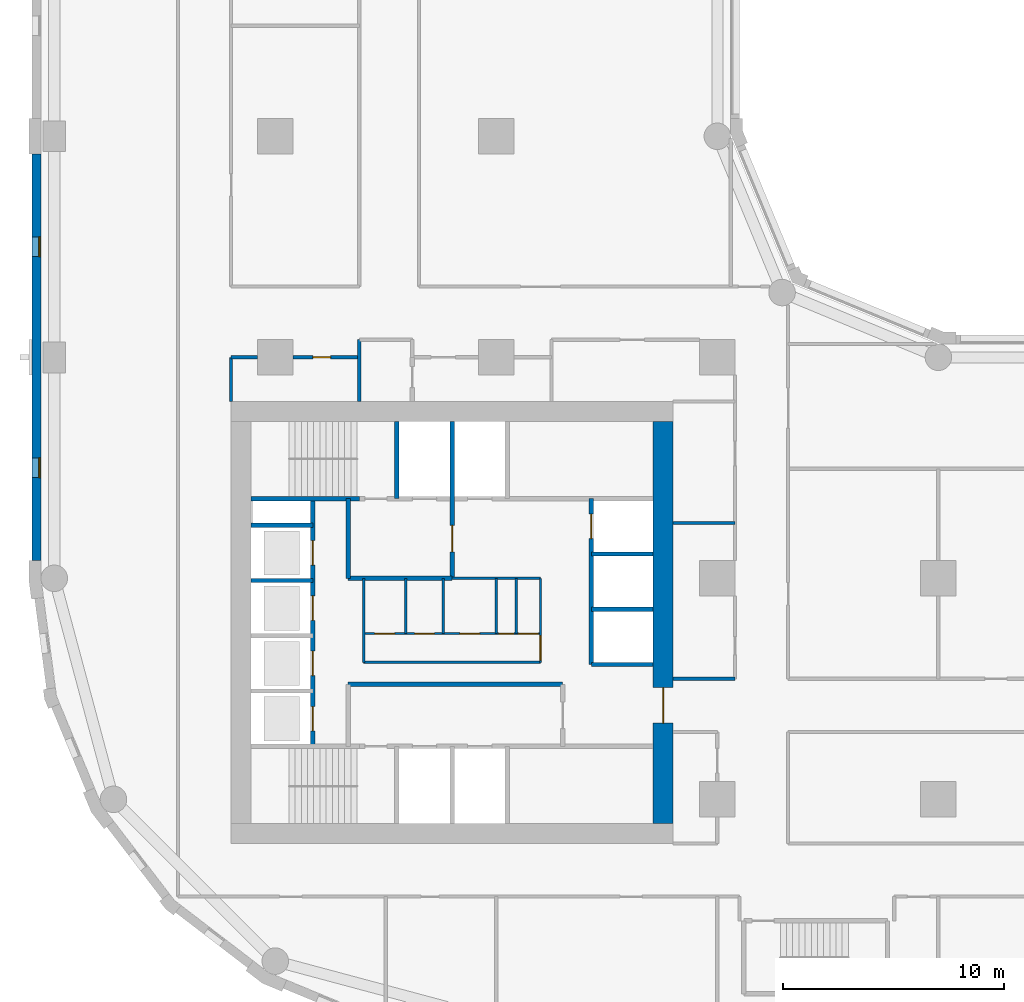
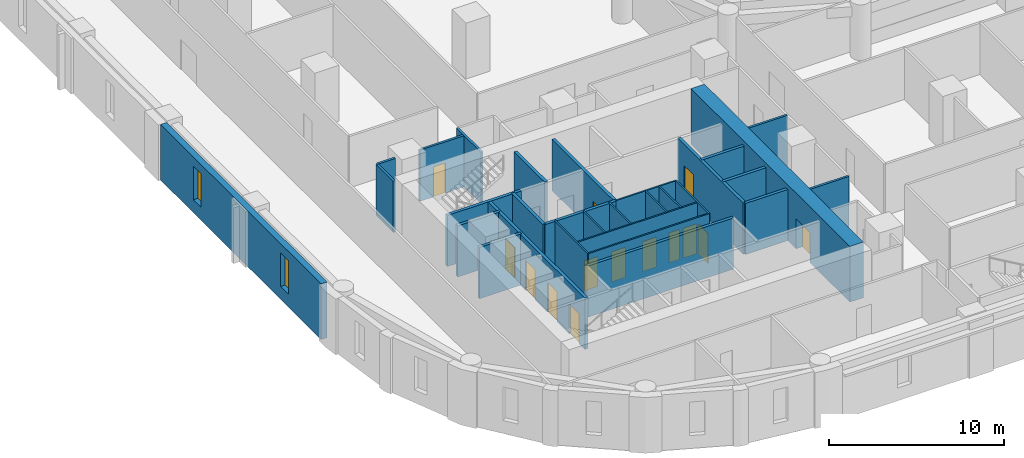
# One storey, part 3 of 11: 30 walls, 14 doors, 2 windows, 16 openings.
"""IFC4 building model written with IfcOpenShell, lengths in metres."""

from ifc_helpers import new_model, si_unit, direction, frame, frame_2d, origin, place, context, subcontext, project, spatial, rectangle, extrude, material, layer, layer_set, type_object, element, fill, save


model = new_model("IFC4")

# Units and contexts
model_context = context("Model", 3, precision=1e-05, world=origin(), true_north=direction((0.0, 1.0)))
body_context = subcontext(model_context, "Body", "Model", "MODEL_VIEW")
ifc_project = project(units=[si_unit("LENGTHUNIT", "METRE"), si_unit("AREAUNIT", "SQUARE_METRE"), si_unit("VOLUMEUNIT", "CUBIC_METRE"), si_unit("PLANEANGLEUNIT", "RADIAN"), si_unit("MASSUNIT", "GRAM", prefix="KILO")], contexts=[model_context])

# Site, building, storey
site_placement = place(None, origin())
site = spatial("IfcSite", under=ifc_project, at=site_placement, CompositionType="ELEMENT")
building_placement = place(site_placement, origin())
building = spatial("IfcBuilding", under=site, at=building_placement, Name="Qaws Garden Tower", CompositionType="ELEMENT")
storey_placement = place(building_placement, frame((0.0, 0.0, 90.0)))
storey = spatial("IfcBuildingStorey", under=building, at=storey_placement, Name="L22", CompositionType="ELEMENT", Elevation=90.0)

# Wall, openings, windows
ifc_material_1 = material(Name="Clay facing brick masonry", Category="masonry")
ifc_layer_1 = layer(ifc_material_1, 0.39990234375)
ifc_layer_set_1 = layer_set([ifc_layer_1], Name="Clay facing brick masonry")
wall_type_1 = type_object("IfcWallType", Name="Brick infill wall 400", PredefinedType="SOLIDWALL", material=ifc_layer_set_1)
wall_1_placement = place(storey_placement, frame((-0.800048828125, 39.199951171875, 0.0), z_axis=(0.0, 0.0, 1.0), x_axis=(0.0, -1.0, 0.0)))
wall_1 = element("IfcWall", 1, at=wall_1_placement, inside=storey, type_object=wall_type_1, Name="E-L22-infill-25", PredefinedType="SOLIDWALL", context=body_context, shape_type="SweptSolid", body=[
    extrude(rectangle(XDim=18.39990234375, YDim=0.39990234375, at=frame_2d((9.199951171875, 0.0))), origin(), (0.0, 0.0, 1.0), 3.89990234375),
])
opening_1_placement = place(wall_1_placement, frame((3.75, 0.0, 0.89990234375)))
opening_1 = element("IfcOpeningElement", 2, at=opening_1_placement, cuts=wall_1, Name="Opening W09", PredefinedType="OPENING", context=body_context, shape_type="SweptSolid", body=[
    extrude(rectangle(XDim=0.89990234375, YDim=2.35009765625, at=frame_2d((0.449951171875, 1.175048828125))), frame((0.0, 0.2099609375, 0.0), z_axis=(0.0, -1.0, 0.0), x_axis=(1.0, 0.0, 0.0)), (0.0, 0.0, 1.0), 0.419921875),
])
opening_2_placement = place(wall_1_placement, frame((13.75, 0.0, 0.89990234375)))
opening_2 = element("IfcOpeningElement", 3, at=opening_2_placement, cuts=wall_1, Name="Opening W09", PredefinedType="OPENING", context=body_context, shape_type="SweptSolid", body=[
    extrude(rectangle(XDim=0.89990234375, YDim=2.35009765625, at=frame_2d((0.449951171875, 1.175048828125))), frame((0.0, 0.2099609375, 0.0), z_axis=(0.0, -1.0, 0.0), x_axis=(1.0, 0.0, 0.0)), (0.0, 0.0, 1.0), 0.419921875),
])
ifc_material_2 = material(Name="Aluminium framed window, clear glazing", Category="aluminium")
window_type = type_object("IfcWindowType", Name="Slit window 900 x 2350", PartitioningType="SINGLE_PANEL", PredefinedType="WINDOW", material=ifc_material_2)
window_1_placement = place(opening_1_placement, origin())
window_1 = element("IfcWindow", 4, at=window_1_placement, inside=storey, type_object=window_type, Name="E-L22-window-25-0", OverallHeight=2.35009765625, OverallWidth=0.89990234375, PartitioningType="SINGLE_PANEL", PredefinedType="WINDOW", context=body_context, shape_type="SweptSolid", body=[
    extrude(rectangle(XDim=0.89990234375, YDim=2.35009765625, at=frame_2d((0.449951171875, 1.175048828125))), frame((0.0, 0.159912109375, 0.0), z_axis=(0.0, -1.0, 0.0), x_axis=(1.0, 0.0, 0.0)), (0.0, 0.0, 1.0), 0.06005859375),
])
fill(opening_1, window_1)
window_2_placement = place(opening_2_placement, origin())
window_2 = element("IfcWindow", 5, at=window_2_placement, inside=storey, type_object=window_type, Name="E-L22-window-26-0", OverallHeight=2.35009765625, OverallWidth=0.89990234375, PartitioningType="SINGLE_PANEL", PredefinedType="WINDOW", context=body_context, shape_type="SweptSolid", body=[
    extrude(rectangle(XDim=0.89990234375, YDim=2.35009765625, at=frame_2d((0.449951171875, 1.175048828125))), frame((0.0, 0.159912109375, 0.0), z_axis=(0.0, -1.0, 0.0), x_axis=(1.0, 0.0, 0.0)), (0.0, 0.0, 1.0), 0.06005859375),
])
fill(opening_2, window_2)

# Wall
ifc_material_3 = material(Name="Plasterboard")
ifc_layer_2 = layer(ifc_material_3, 0.10009765625)
ifc_layer_set_2 = layer_set([ifc_layer_2], Name="Plasterboard")
wall_type_2 = type_object("IfcWallType", Name="Core partition 100", PredefinedType="PARTITIONING", material=ifc_layer_set_2)
wall_2_placement = place(storey_placement, frame((14.0, 16.199951171875, 0.0), z_axis=(0.0, 0.0, 1.0), x_axis=(1.0, 0.0, 0.0)))
element("IfcWall", 6, at=wall_2_placement, inside=storey, type_object=wall_type_2, Name="Core partition", PredefinedType="PARTITIONING", context=body_context, shape_type="SweptSolid", body=[
    extrude(rectangle(XDim=8.0, YDim=0.10009765625, at=frame_2d((4.0, 0.0))), origin(), (0.0, 0.0, 1.0), 3.580078125),
])

# Wall, openings, doors
wall_3_placement = place(storey_placement, frame((14.0, 17.5, 0.0), z_axis=(0.0, 0.0, 1.0), x_axis=(1.0, 0.0, 0.0)))
wall_3 = element("IfcWall", 7, at=wall_3_placement, inside=storey, type_object=wall_type_2, Name="Core partition", PredefinedType="PARTITIONING", context=body_context, shape_type="SweptSolid", body=[
    extrude(rectangle(XDim=8.0, YDim=0.10009765625, at=frame_2d((4.0, 0.0))), origin(), (0.0, 0.0, 1.0), 3.580078125),
])
opening_3_placement = place(wall_3_placement, frame((0.5, 0.0, 0.0)))
opening_3 = element("IfcOpeningElement", 8, at=opening_3_placement, cuts=wall_3, Name="Opening WD18", PredefinedType="OPENING", context=body_context, shape_type="SweptSolid", body=[
    extrude(rectangle(XDim=0.89990234375, YDim=2.10009765625, at=frame_2d((0.449951171875, 1.050048828125))), frame((0.0, 0.06005859375, 0.0), z_axis=(0.0, -1.0, 0.0), x_axis=(1.0, 0.0, 0.0)), (0.0, 0.0, 1.0), 0.1201171875),
])
opening_4_placement = place(wall_3_placement, frame((2.300048828125, 0.0, 0.0)))
opening_4 = element("IfcOpeningElement", 9, at=opening_4_placement, cuts=wall_3, Name="Opening WD19", PredefinedType="OPENING", context=body_context, shape_type="SweptSolid", body=[
    extrude(rectangle(XDim=0.89990234375, YDim=2.10009765625, at=frame_2d((0.449951171875, 1.050048828125))), frame((0.0, 0.06005859375, 0.0), z_axis=(0.0, -1.0, 0.0), x_axis=(1.0, 0.0, 0.0)), (0.0, 0.0, 1.0), 0.1201171875),
])
opening_5_placement = place(wall_3_placement, frame((4.35009765625, 0.0, 0.0)))
opening_5 = element("IfcOpeningElement", 10, at=opening_5_placement, cuts=wall_3, Name="Opening WD20", PredefinedType="OPENING", context=body_context, shape_type="SweptSolid", body=[
    extrude(rectangle(XDim=0.89990234375, YDim=2.10009765625, at=frame_2d((0.449951171875, 1.050048828125))), frame((0.0, 0.06005859375, 0.0), z_axis=(0.0, -1.0, 0.0), x_axis=(1.0, 0.0, 0.0)), (0.0, 0.0, 1.0), 0.1201171875),
])
opening_6_placement = place(wall_3_placement, frame((6.10009765625, 0.0, 0.0)))
opening_6 = element("IfcOpeningElement", 11, at=opening_6_placement, cuts=wall_3, Name="Opening XD21", PredefinedType="OPENING", context=body_context, shape_type="SweptSolid", body=[
    extrude(rectangle(XDim=0.699951171875, YDim=2.10009765625, at=frame_2d((0.35009765625, 1.050048828125))), frame((0.0, 0.06005859375, 0.0), z_axis=(0.0, -1.0, 0.0), x_axis=(1.0, 0.0, 0.0)), (0.0, 0.0, 1.0), 0.1201171875),
])
opening_7_placement = place(wall_3_placement, frame((7.0, 0.0, 0.0)))
opening_7 = element("IfcOpeningElement", 12, at=opening_7_placement, cuts=wall_3, Name="Opening WD22", PredefinedType="OPENING", context=body_context, shape_type="SweptSolid", body=[
    extrude(rectangle(XDim=0.89990234375, YDim=2.10009765625, at=frame_2d((0.449951171875, 1.050048828125))), frame((0.0, 0.06005859375, 0.0), z_axis=(0.0, -1.0, 0.0), x_axis=(1.0, 0.0, 0.0)), (0.0, 0.0, 1.0), 0.1201171875),
])
ifc_material_4 = material(Name="Timber", Category="wood")
door_type_1 = type_object("IfcDoorType", Name="Store door 700x2100", OperationType="SINGLE_SWING_LEFT", PredefinedType="DOOR", material=ifc_material_4)
door_1_placement = place(opening_6_placement, origin())
door_1 = element("IfcDoor", 13, at=door_1_placement, inside=storey, type_object=door_type_1, Name="Cleaner's store door", OperationType="SINGLE_SWING_RIGHT", OverallHeight=2.10009765625, OverallWidth=0.699951171875, PredefinedType="DOOR", context=body_context, shape_type="SweptSolid", body=[
    extrude(rectangle(XDim=0.699951171875, YDim=2.10009765625, at=frame_2d((0.35009765625, 1.050048828125))), frame((0.0, 0.02490234375, 0.0), z_axis=(0.0, -1.0, 0.0), x_axis=(1.0, 0.0, 0.0)), (0.0, 0.0, 1.0), 0.050048828125),
])
fill(opening_6, door_1)
ifc_material_5 = material(Name="Timber", Category="wood")
door_type_2 = type_object("IfcDoorType", Name="WC door 900x2100", OperationType="SINGLE_SWING_LEFT", PredefinedType="DOOR", material=ifc_material_5)
door_2_placement = place(opening_3_placement, origin())
door_2 = element("IfcDoor", 14, at=door_2_placement, inside=storey, type_object=door_type_2, Name="Men's WC door", OperationType="SINGLE_SWING_RIGHT", OverallHeight=2.10009765625, OverallWidth=0.89990234375, PredefinedType="DOOR", context=body_context, shape_type="SweptSolid", body=[
    extrude(rectangle(XDim=0.89990234375, YDim=2.10009765625, at=frame_2d((0.449951171875, 1.050048828125))), frame((0.0, 0.02490234375, 0.0), z_axis=(0.0, -1.0, 0.0), x_axis=(1.0, 0.0, 0.0)), (0.0, 0.0, 1.0), 0.050048828125),
])
fill(opening_3, door_2)
door_3_placement = place(opening_4_placement, origin())
door_3 = element("IfcDoor", 15, at=door_3_placement, inside=storey, type_object=door_type_2, Name="Accessible WC door", OperationType="SINGLE_SWING_RIGHT", OverallHeight=2.10009765625, OverallWidth=0.89990234375, PredefinedType="DOOR", context=body_context, shape_type="SweptSolid", body=[
    extrude(rectangle(XDim=0.89990234375, YDim=2.10009765625, at=frame_2d((0.449951171875, 1.050048828125))), frame((0.0, 0.02490234375, 0.0), z_axis=(0.0, -1.0, 0.0), x_axis=(1.0, 0.0, 0.0)), (0.0, 0.0, 1.0), 0.050048828125),
])
fill(opening_4, door_3)
door_4_placement = place(opening_5_placement, origin())
door_4 = element("IfcDoor", 16, at=door_4_placement, inside=storey, type_object=door_type_2, Name="Women's WC door", OperationType="SINGLE_SWING_RIGHT", OverallHeight=2.10009765625, OverallWidth=0.89990234375, PredefinedType="DOOR", context=body_context, shape_type="SweptSolid", body=[
    extrude(rectangle(XDim=0.89990234375, YDim=2.10009765625, at=frame_2d((0.449951171875, 1.050048828125))), frame((0.0, 0.02490234375, 0.0), z_axis=(0.0, -1.0, 0.0), x_axis=(1.0, 0.0, 0.0)), (0.0, 0.0, 1.0), 0.050048828125),
])
fill(opening_5, door_4)
door_5_placement = place(opening_7_placement, origin())
door_5 = element("IfcDoor", 17, at=door_5_placement, inside=storey, type_object=door_type_2, Name="Linen store door", OperationType="SINGLE_SWING_RIGHT", OverallHeight=2.10009765625, OverallWidth=0.89990234375, PredefinedType="DOOR", context=body_context, shape_type="SweptSolid", body=[
    extrude(rectangle(XDim=0.89990234375, YDim=2.10009765625, at=frame_2d((0.449951171875, 1.050048828125))), frame((0.0, 0.02490234375, 0.0), z_axis=(0.0, -1.0, 0.0), x_axis=(1.0, 0.0, 0.0)), (0.0, 0.0, 1.0), 0.050048828125),
])
fill(opening_7, door_5)

# Walls
wall_4_placement = place(storey_placement, frame((18.0, 20.0, 0.0), z_axis=(0.0, 0.0, 1.0), x_axis=(1.0, 0.0, 0.0)))
element("IfcWall", 18, at=wall_4_placement, inside=storey, type_object=wall_type_2, Name="Core partition", PredefinedType="PARTITIONING", context=body_context, shape_type="SweptSolid", body=[
    extrude(rectangle(XDim=4.0, YDim=0.10009765625, at=frame_2d((2.0, 0.0))), origin(), (0.0, 0.0, 1.0), 3.580078125),
])
wall_5_placement = place(storey_placement, frame((14.0, 16.199951171875, 0.0), z_axis=(0.0, 0.0, 1.0), x_axis=(0.0, 1.0, 0.0)))
element("IfcWall", 19, at=wall_5_placement, inside=storey, type_object=wall_type_2, Name="Core partition", PredefinedType="PARTITIONING", context=body_context, shape_type="SweptSolid", body=[
    extrude(rectangle(XDim=3.800048828125, YDim=0.10009765625, at=frame_2d((1.89990234375, 0.0))), origin(), (0.0, 0.0, 1.0), 3.580078125),
])
for number, where, z_axis, x_axis, name in (
    (20, (15.89990234375, 17.5, 0.0), (0.0, 0.0, 1.0), (0.0, 1.0, 0.0), "Core partition"),
    (21, (17.60009765625, 17.5, 0.0), (0.0, 0.0, 1.0), (0.0, 1.0, 0.0), "Core partition"),
    (22, (20.0, 17.5, 0.0), (0.0, 0.0, 1.0), (0.0, 1.0, 0.0), "Core partition"),
    (23, (20.89990234375, 17.5, 0.0), (0.0, 0.0, 1.0), (0.0, 1.0, 0.0), "Core partition"),
):
    element("IfcWall", number, at=place(storey_placement, frame(where, z_axis=z_axis, x_axis=x_axis)), inside=storey, type_object=wall_type_2, Name=name, PredefinedType="PARTITIONING", context=body_context, shape_type="SweptSolid", body=[
        extrude(rectangle(XDim=2.5, YDim=0.10009765625, at=frame_2d((1.25, 0.0))), origin(), (0.0, 0.0, 1.0), 3.580078125),
    ])

# Wall, opening, door
wall_6_placement = place(storey_placement, frame((22.0, 16.199951171875, 0.0), z_axis=(0.0, 0.0, 1.0), x_axis=(0.0, 1.0, 0.0)))
wall_6 = element("IfcWall", 24, at=wall_6_placement, inside=storey, type_object=wall_type_2, Name="Core partition", PredefinedType="PARTITIONING", context=body_context, shape_type="SweptSolid", body=[
    extrude(rectangle(XDim=3.800048828125, YDim=0.10009765625, at=frame_2d((1.89990234375, 0.0))), origin(), (0.0, 0.0, 1.0), 3.580078125),
])
opening_8_placement = place(wall_6_placement, frame((0.10009765625, 0.0, 0.0)))
opening_8 = element("IfcOpeningElement", 25, at=opening_8_placement, cuts=wall_6, Name="Opening WL17", PredefinedType="OPENING", context=body_context, shape_type="SweptSolid", body=[
    extrude(rectangle(XDim=1.10009765625, YDim=2.10009765625, at=frame_2d((0.550048828125, 1.050048828125))), frame((0.0, 0.06005859375, 0.0), z_axis=(0.0, -1.0, 0.0), x_axis=(1.0, 0.0, 0.0)), (0.0, 0.0, 1.0), 0.1201171875),
])
ifc_material_6 = material(Name="Timber", Category="wood")
door_type_3 = type_object("IfcDoorType", Name="WC lobby door 1100x2100", OperationType="SINGLE_SWING_LEFT", PredefinedType="DOOR", material=ifc_material_6)
door_6_placement = place(opening_8_placement, origin())
door_6 = element("IfcDoor", 26, at=door_6_placement, inside=storey, type_object=door_type_3, Name="WC lobby door", OperationType="SINGLE_SWING_RIGHT", OverallHeight=2.10009765625, OverallWidth=1.10009765625, PredefinedType="DOOR", context=body_context, shape_type="SweptSolid", body=[
    extrude(rectangle(XDim=1.10009765625, YDim=2.10009765625, at=frame_2d((0.550048828125, 1.050048828125))), frame((0.0, 0.02490234375, 0.0), z_axis=(0.0, -1.0, 0.0), x_axis=(1.0, 0.0, 0.0)), (0.0, 0.0, 1.0), 0.050048828125),
])
fill(opening_8, door_6)

# Walls
ifc_material_7 = material(Name="Concrete C80", Category="concrete")
ifc_layer_3 = layer(ifc_material_7, 0.199951171875)
ifc_layer_set_3 = layer_set([ifc_layer_3], Name="Concrete C80")
wall_type_3 = type_object("IfcWallType", Name="Core shaft wall 200 C80", PredefinedType="SHEAR", material=ifc_layer_set_3)
wall_7_placement = place(storey_placement, frame((13.300048828125, 15.199951171875, 0.0), z_axis=(0.0, 0.0, 1.0), x_axis=(1.0, 0.0, 0.0)))
element("IfcWall", 27, at=wall_7_placement, inside=storey, type_object=wall_type_3, Name="Shaft wall", PredefinedType="SHEAR", context=body_context, shape_type="SweptSolid", body=[
    extrude(rectangle(XDim=9.699951171875, YDim=0.199951171875, at=frame_2d((4.85009765625, 0.0))), origin(), (0.0, 0.0, 1.0), 3.580078125),
])
for number, where, z_axis, x_axis, name in (
    (28, (24.300048828125, 16.10009765625, 0.0), (0.0, 0.0, 1.0), (1.0, 0.0, 0.0), "Shaft wall"),
    (29, (24.300048828125, 18.60009765625, 0.0), (0.0, 0.0, 1.0), (1.0, 0.0, 0.0), "Shaft wall"),
    (30, (8.89990234375, 19.89990234375, 0.0), (0.0, 0.0, 1.0), (1.0, 0.0, 0.0), "Shaft wall"),
):
    element("IfcWall", number, at=place(storey_placement, frame(where, z_axis=z_axis, x_axis=x_axis)), inside=storey, type_object=wall_type_3, Name=name, PredefinedType="SHEAR", context=body_context, shape_type="SweptSolid", body=[
        extrude(rectangle(XDim=2.800048828125, YDim=0.199951171875, at=frame_2d((1.39990234375, 0.0))), origin(), (0.0, 0.0, 1.0), 3.580078125),
    ])
wall_8_placement = place(storey_placement, frame((13.300048828125, 20.0, 0.0), z_axis=(0.0, 0.0, 1.0), x_axis=(1.0, 0.0, 0.0)))
element("IfcWall", 31, at=wall_8_placement, inside=storey, type_object=wall_type_3, Name="Shaft wall", PredefinedType="SHEAR", context=body_context, shape_type="SweptSolid", body=[
    extrude(rectangle(XDim=4.699951171875, YDim=0.199951171875, at=frame_2d((2.35009765625, 0.0))), origin(), (0.0, 0.0, 1.0), 3.580078125),
])
for number, where, z_axis, x_axis, name in (
    (32, (24.300048828125, 21.10009765625, 0.0), (0.0, 0.0, 1.0), (1.0, 0.0, 0.0), "Shaft wall"),
    (33, (8.89990234375, 22.39990234375, 0.0), (0.0, 0.0, 1.0), (1.0, 0.0, 0.0), "Shaft wall"),
):
    element("IfcWall", number, at=place(storey_placement, frame(where, z_axis=z_axis, x_axis=x_axis)), inside=storey, type_object=wall_type_3, Name=name, PredefinedType="SHEAR", context=body_context, shape_type="SweptSolid", body=[
        extrude(rectangle(XDim=2.800048828125, YDim=0.199951171875, at=frame_2d((1.39990234375, 0.0))), origin(), (0.0, 0.0, 1.0), 3.580078125),
    ])
wall_9_placement = place(storey_placement, frame((8.89990234375, 23.60009765625, 0.0), z_axis=(0.0, 0.0, 1.0), x_axis=(1.0, 0.0, 0.0)))
element("IfcWall", 34, at=wall_9_placement, inside=storey, type_object=wall_type_3, Name="Shaft wall", PredefinedType="SHEAR", context=body_context, shape_type="SweptSolid", body=[
    extrude(rectangle(XDim=4.900146484375, YDim=0.199951171875, at=frame_2d((2.4501953125, 0.0))), origin(), (0.0, 0.0, 1.0), 3.580078125),
])

# Wall, openings, doors
wall_10_placement = place(storey_placement, frame((11.699951171875, 12.39990234375, 0.0), z_axis=(0.0, 0.0, 1.0), x_axis=(0.0, 1.0, 0.0)))
wall_10 = element("IfcWall", 35, at=wall_10_placement, inside=storey, type_object=wall_type_3, Name="Shaft wall", PredefinedType="SHEAR", context=body_context, shape_type="SweptSolid", body=[
    extrude(rectangle(XDim=11.2001953125, YDim=0.199951171875, at=frame_2d((5.60009765625, 0.0))), origin(), (0.0, 0.0, 1.0), 3.580078125),
])
opening_9_placement = place(wall_10_placement, frame((0.699951171875, 0.0, 0.0)))
opening_9 = element("IfcOpeningElement", 36, at=opening_9_placement, cuts=wall_10, Name="Opening LD01", PredefinedType="OPENING", context=body_context, shape_type="SweptSolid", body=[
    extrude(rectangle(XDim=1.10009765625, YDim=2.10009765625, at=frame_2d((0.550048828125, 1.050048828125))), frame((0.0, 0.10986328125, 0.0), z_axis=(0.0, -1.0, 0.0), x_axis=(1.0, 0.0, 0.0)), (0.0, 0.0, 1.0), 0.219970703125),
])
opening_10_placement = place(wall_10_placement, frame((3.199951171875, 0.0, 0.0)))
opening_10 = element("IfcOpeningElement", 37, at=opening_10_placement, cuts=wall_10, Name="Opening LD02", PredefinedType="OPENING", context=body_context, shape_type="SweptSolid", body=[
    extrude(rectangle(XDim=1.10009765625, YDim=2.10009765625, at=frame_2d((0.550048828125, 1.050048828125))), frame((0.0, 0.10986328125, 0.0), z_axis=(0.0, -1.0, 0.0), x_axis=(1.0, 0.0, 0.0)), (0.0, 0.0, 1.0), 0.219970703125),
])
opening_11_placement = place(wall_10_placement, frame((5.699951171875, 0.0, 0.0)))
opening_11 = element("IfcOpeningElement", 38, at=opening_11_placement, cuts=wall_10, Name="Opening LD03", PredefinedType="OPENING", context=body_context, shape_type="SweptSolid", body=[
    extrude(rectangle(XDim=1.10009765625, YDim=2.10009765625, at=frame_2d((0.550048828125, 1.050048828125))), frame((0.0, 0.10986328125, 0.0), z_axis=(0.0, -1.0, 0.0), x_axis=(1.0, 0.0, 0.0)), (0.0, 0.0, 1.0), 0.219970703125),
])
opening_12_placement = place(wall_10_placement, frame((8.199951171875, 0.0, 0.0)))
opening_12 = element("IfcOpeningElement", 39, at=opening_12_placement, cuts=wall_10, Name="Opening LD04", PredefinedType="OPENING", context=body_context, shape_type="SweptSolid", body=[
    extrude(rectangle(XDim=1.10009765625, YDim=2.10009765625, at=frame_2d((0.550048828125, 1.050048828125))), frame((0.0, 0.10986328125, 0.0), z_axis=(0.0, -1.0, 0.0), x_axis=(1.0, 0.0, 0.0)), (0.0, 0.0, 1.0), 0.219970703125),
])
ifc_material_8 = material(Name="Steel S235", Category="steel")
door_type_4 = type_object("IfcDoorType", Name="Landing door 1100x2100", OperationType="DOUBLE_DOOR_SLIDING", PredefinedType="DOOR", material=ifc_material_8)
door_7_placement = place(opening_9_placement, origin())
door_7 = element("IfcDoor", 40, at=door_7_placement, inside=storey, type_object=door_type_4, Name="Lift W1 landing door", OperationType="DOUBLE_DOOR_SLIDING", OverallHeight=2.10009765625, OverallWidth=1.10009765625, PredefinedType="DOOR", context=body_context, shape_type="SweptSolid", body=[
    extrude(rectangle(XDim=1.10009765625, YDim=2.10009765625, at=frame_2d((0.550048828125, 1.050048828125))), frame((0.0, 0.02490234375, 0.0), z_axis=(0.0, -1.0, 0.0), x_axis=(1.0, 0.0, 0.0)), (0.0, 0.0, 1.0), 0.050048828125),
])
fill(opening_9, door_7)
door_8_placement = place(opening_10_placement, origin())
door_8 = element("IfcDoor", 41, at=door_8_placement, inside=storey, type_object=door_type_4, Name="Lift W2 landing door", OperationType="DOUBLE_DOOR_SLIDING", OverallHeight=2.10009765625, OverallWidth=1.10009765625, PredefinedType="DOOR", context=body_context, shape_type="SweptSolid", body=[
    extrude(rectangle(XDim=1.10009765625, YDim=2.10009765625, at=frame_2d((0.550048828125, 1.050048828125))), frame((0.0, 0.02490234375, 0.0), z_axis=(0.0, -1.0, 0.0), x_axis=(1.0, 0.0, 0.0)), (0.0, 0.0, 1.0), 0.050048828125),
])
fill(opening_10, door_8)
door_9_placement = place(opening_11_placement, origin())
door_9 = element("IfcDoor", 42, at=door_9_placement, inside=storey, type_object=door_type_4, Name="Lift W3 landing door", OperationType="DOUBLE_DOOR_SLIDING", OverallHeight=2.10009765625, OverallWidth=1.10009765625, PredefinedType="DOOR", context=body_context, shape_type="SweptSolid", body=[
    extrude(rectangle(XDim=1.10009765625, YDim=2.10009765625, at=frame_2d((0.550048828125, 1.050048828125))), frame((0.0, 0.02490234375, 0.0), z_axis=(0.0, -1.0, 0.0), x_axis=(1.0, 0.0, 0.0)), (0.0, 0.0, 1.0), 0.050048828125),
])
fill(opening_11, door_9)
door_10_placement = place(opening_12_placement, origin())
door_10 = element("IfcDoor", 43, at=door_10_placement, inside=storey, type_object=door_type_4, Name="Lift W4 landing door", OperationType="DOUBLE_DOOR_SLIDING", OverallHeight=2.10009765625, OverallWidth=1.10009765625, PredefinedType="DOOR", context=body_context, shape_type="SweptSolid", body=[
    extrude(rectangle(XDim=1.10009765625, YDim=2.10009765625, at=frame_2d((0.550048828125, 1.050048828125))), frame((0.0, 0.02490234375, 0.0), z_axis=(0.0, -1.0, 0.0), x_axis=(1.0, 0.0, 0.0)), (0.0, 0.0, 1.0), 0.050048828125),
])
fill(opening_12, door_10)

# Walls
wall_11_placement = place(storey_placement, frame((13.300048828125, 20.0, 0.0), z_axis=(0.0, 0.0, 1.0), x_axis=(0.0, 1.0, 0.0)))
element("IfcWall", 44, at=wall_11_placement, inside=storey, type_object=wall_type_3, Name="Shaft wall", PredefinedType="SHEAR", context=body_context, shape_type="SweptSolid", body=[
    extrude(rectangle(XDim=3.60009765625, YDim=0.199951171875, at=frame_2d((1.800048828125, 0.0))), origin(), (0.0, 0.0, 1.0), 3.580078125),
])
wall_12_placement = place(storey_placement, frame((15.5, 23.60009765625, 0.0), z_axis=(0.0, 0.0, 1.0), x_axis=(0.0, 1.0, 0.0)))
element("IfcWall", 45, at=wall_12_placement, inside=storey, type_object=wall_type_3, Name="Shaft wall", PredefinedType="SHEAR", context=body_context, shape_type="SweptSolid", body=[
    extrude(rectangle(XDim=3.5, YDim=0.199951171875, at=frame_2d((1.75, 0.0))), origin(), (0.0, 0.0, 1.0), 3.580078125),
])

# Wall, opening, door
wall_13_placement = place(storey_placement, frame((18.0, 20.0, 0.0), z_axis=(0.0, 0.0, 1.0), x_axis=(0.0, 1.0, 0.0)))
wall_13 = element("IfcWall", 46, at=wall_13_placement, inside=storey, type_object=wall_type_3, Name="Shaft wall", PredefinedType="SHEAR", context=body_context, shape_type="SweptSolid", body=[
    extrude(rectangle(XDim=7.10009765625, YDim=0.199951171875, at=frame_2d((3.550048828125, 0.0))), origin(), (0.0, 0.0, 1.0), 3.580078125),
])
opening_13_placement = place(wall_13_placement, frame((1.199951171875, 0.0, 0.0)))
opening_13 = element("IfcOpeningElement", 47, at=opening_13_placement, cuts=wall_13, Name="Opening FD16", PredefinedType="OPENING", context=body_context, shape_type="SweptSolid", body=[
    extrude(rectangle(XDim=1.199951171875, YDim=2.10009765625, at=frame_2d((0.60009765625, 1.050048828125))), frame((0.0, 0.10986328125, 0.0), z_axis=(0.0, -1.0, 0.0), x_axis=(1.0, 0.0, 0.0)), (0.0, 0.0, 1.0), 0.219970703125),
])
ifc_material_9 = material(Name="Steel S235", Category="steel")
door_type_5 = type_object("IfcDoorType", Name="Lobby door 1200x2100", OperationType="DOUBLE_DOOR_SINGLE_SWING", PredefinedType="DOOR", material=ifc_material_9)
door_11_placement = place(opening_13_placement, origin())
door_11 = element("IfcDoor", 48, at=door_11_placement, inside=storey, type_object=door_type_5, Name="Fire-fighting lobby door", OperationType="DOUBLE_DOOR_SINGLE_SWING", OverallHeight=2.10009765625, OverallWidth=1.199951171875, PredefinedType="DOOR", context=body_context, shape_type="SweptSolid", body=[
    extrude(rectangle(XDim=1.199951171875, YDim=2.10009765625, at=frame_2d((0.60009765625, 1.050048828125))), frame((0.0, 0.02490234375, 0.0), z_axis=(0.0, -1.0, 0.0), x_axis=(1.0, 0.0, 0.0)), (0.0, 0.0, 1.0), 0.050048828125),
])
fill(opening_13, door_11)

wall_14_placement = place(storey_placement, frame((24.300048828125, 16.10009765625, 0.0), z_axis=(0.0, 0.0, 1.0), x_axis=(0.0, 1.0, 0.0)))
wall_14 = element("IfcWall", 49, at=wall_14_placement, inside=storey, type_object=wall_type_3, Name="Shaft wall", PredefinedType="SHEAR", context=body_context, shape_type="SweptSolid", body=[
    extrude(rectangle(XDim=7.5, YDim=0.199951171875, at=frame_2d((3.75, 0.0))), origin(), (0.0, 0.0, 1.0), 3.580078125),
])
opening_14_placement = place(wall_14_placement, frame((5.699951171875, 0.0, 0.0)))
opening_14 = element("IfcOpeningElement", 50, at=opening_14_placement, cuts=wall_14, Name="Opening LD05", PredefinedType="OPENING", context=body_context, shape_type="SweptSolid", body=[
    extrude(rectangle(XDim=1.10009765625, YDim=2.10009765625, at=frame_2d((0.550048828125, 1.050048828125))), frame((0.0, 0.10986328125, 0.0), z_axis=(0.0, -1.0, 0.0), x_axis=(1.0, 0.0, 0.0)), (0.0, 0.0, 1.0), 0.219970703125),
])
door_12_placement = place(opening_14_placement, origin())
door_12 = element("IfcDoor", 51, at=door_12_placement, inside=storey, type_object=door_type_4, Name="Lift E3 landing door", OperationType="DOUBLE_DOOR_SLIDING", OverallHeight=2.10009765625, OverallWidth=1.10009765625, PredefinedType="DOOR", context=body_context, shape_type="SweptSolid", body=[
    extrude(rectangle(XDim=1.10009765625, YDim=2.10009765625, at=frame_2d((0.550048828125, 1.050048828125))), frame((0.0, 0.02490234375, 0.0), z_axis=(0.0, -1.0, 0.0), x_axis=(1.0, 0.0, 0.0)), (0.0, 0.0, 1.0), 0.050048828125),
])
fill(opening_14, door_12)

ifc_material_10 = material(Name="Concrete C80", Category="concrete")
ifc_layer_4 = layer(ifc_material_10, 0.89990234375)
ifc_layer_set_4 = layer_set([ifc_layer_4], Name="Concrete C80")
wall_type_4 = type_object("IfcWallType", Name="Core wall 900 C80", PredefinedType="SHEAR", material=ifc_layer_set_4)
wall_15_placement = place(storey_placement, frame((27.550048828125, 8.89990234375, 0.0), z_axis=(0.0, 0.0, 1.0), x_axis=(0.0, 1.0, 0.0)))
wall_15 = element("IfcWall", 52, at=wall_15_placement, inside=storey, type_object=wall_type_4, Name="Core wall L22 east", PredefinedType="SHEAR", context=body_context, shape_type="SweptSolid", body=[
    extrude(rectangle(XDim=18.2001953125, YDim=0.89990234375, at=frame_2d((9.10009765625, 0.0))), origin(), (0.0, 0.0, 1.0), 3.89990234375),
])
opening_15_placement = place(wall_15_placement, frame((4.550048828125, 0.0, 0.0)))
opening_15 = element("IfcOpeningElement", 53, at=opening_15_placement, cuts=wall_15, Name="Opening ED23", PredefinedType="OPENING", context=body_context, shape_type="SweptSolid", body=[
    extrude(rectangle(XDim=1.60009765625, YDim=2.10009765625, at=frame_2d((0.800048828125, 1.050048828125))), frame((0.0, 0.4599609375, 0.0), z_axis=(0.0, -1.0, 0.0), x_axis=(1.0, 0.0, 0.0)), (0.0, 0.0, 1.0), 0.919921875),
])
ifc_material_11 = material(Name="Steel S235", Category="steel")
door_type_6 = type_object("IfcDoorType", Name="Core entrance door 1600x2100", OperationType="DOUBLE_DOOR_SINGLE_SWING", PredefinedType="DOOR", material=ifc_material_11)
door_13_placement = place(opening_15_placement, origin())
door_13 = element("IfcDoor", 54, at=door_13_placement, inside=storey, type_object=door_type_6, Name="Core entrance door", OperationType="DOUBLE_DOOR_SINGLE_SWING", OverallHeight=2.10009765625, OverallWidth=1.60009765625, PredefinedType="DOOR", context=body_context, shape_type="SweptSolid", body=[
    extrude(rectangle(XDim=1.60009765625, YDim=2.10009765625, at=frame_2d((0.800048828125, 1.050048828125))), frame((0.0, 0.02490234375, 0.0), z_axis=(0.0, -1.0, 0.0), x_axis=(1.0, 0.0, 0.0)), (0.0, 0.0, 1.0), 0.050048828125),
])
fill(opening_15, door_13)

# Walls
ifc_material_12 = material(Name="Gypsum board partition")
ifc_layer_5 = layer(ifc_material_12, 0.14990234375)
ifc_layer_set_5 = layer_set([ifc_layer_5], Name="Gypsum board partition")
wall_type_5 = type_object("IfcWallType", Name="PARTITION 150 EI 60", PredefinedType="PARTITIONING", material=ifc_layer_set_5)
wall_16_placement = place(storey_placement, frame((8.0, 28.0, 0.0), z_axis=(0.0, 0.0, 1.0), x_axis=(0.0, 1.0, 0.0)))
element("IfcWall", 55, at=wall_16_placement, inside=storey, type_object=wall_type_5, Name="O-L22-wall-002", PredefinedType="PARTITIONING", context=body_context, shape_type="SweptSolid", body=[
    extrude(rectangle(XDim=2.0, YDim=0.14990234375, at=frame_2d((1.0, 0.0))), origin(), (0.0, 0.0, 1.0), 3.580078125),
])
for number, where, z_axis, x_axis, name in (
    (56, (13.800048828125, 28.0, 0.0), (0.0, 0.0, 1.0), (0.0, 1.0, 0.0), "O-L22-wall-005"),
    (57, (28.0, 15.449951171875, 0.0), (0.0, 0.0, 1.0), (1.0, 0.0, 0.0), "O-L22-wall-039"),
    (58, (28.0, 22.5, 0.0), (0.0, 0.0, 1.0), (1.0, 0.0, 0.0), "O-L22-wall-041"),
):
    element("IfcWall", number, at=place(storey_placement, frame(where, z_axis=z_axis, x_axis=x_axis)), inside=storey, type_object=wall_type_5, Name=name, PredefinedType="PARTITIONING", context=body_context, shape_type="SweptSolid", body=[
        extrude(rectangle(XDim=2.800048828125, YDim=0.14990234375, at=frame_2d((1.39990234375, 0.0))), origin(), (0.0, 0.0, 1.0), 3.580078125),
    ])
wall_17_placement = place(storey_placement, frame((8.0, 30.0, 0.0), z_axis=(0.0, 0.0, 1.0), x_axis=(1.0, 0.0, 0.0)))
element("IfcWall", 59, at=wall_17_placement, inside=storey, type_object=wall_type_5, Name="O-L22-wall-044", PredefinedType="PARTITIONING", context=body_context, shape_type="SweptSolid", body=[
    extrude(rectangle(XDim=1.199951171875, YDim=0.14990234375, at=frame_2d((0.60009765625, 0.0))), origin(), (0.0, 0.0, 1.0), 3.580078125),
])

# Wall, opening, door
wall_18_placement = place(storey_placement, frame((10.800048828125, 30.0, 0.0), z_axis=(0.0, 0.0, 1.0), x_axis=(1.0, 0.0, 0.0)))
wall_18 = element("IfcWall", 60, at=wall_18_placement, inside=storey, type_object=wall_type_5, Name="O-L22-wall-045", PredefinedType="PARTITIONING", context=body_context, shape_type="SweptSolid", body=[
    extrude(rectangle(XDim=3.0, YDim=0.14990234375, at=frame_2d((1.5, 0.0))), origin(), (0.0, 0.0, 1.0), 3.580078125),
])
opening_16_placement = place(wall_18_placement, frame((0.89990234375, 0.0, 0.0)))
opening_16 = element("IfcOpeningElement", 61, at=opening_16_placement, cuts=wall_18, Name="Opening A709", PredefinedType="OPENING", context=body_context, shape_type="SweptSolid", body=[
    extrude(rectangle(XDim=0.800048828125, YDim=2.10009765625, at=frame_2d((0.39990234375, 1.050048828125))), frame((0.0, 0.0849609375, 0.0), z_axis=(0.0, -1.0, 0.0), x_axis=(1.0, 0.0, 0.0)), (0.0, 0.0, 1.0), 0.169921875),
])
ifc_material_13 = material(Name="Timber door leaf", Category="wood")
door_type_7 = type_object("IfcDoorType", Name="STORE DOOR 800 X 2100", OperationType="SINGLE_SWING_LEFT", PredefinedType="DOOR", material=ifc_material_13)
door_14_placement = place(opening_16_placement, frame((0.800048828125, 0.0, 0.0), z_axis=(0.0, 0.0, 1.0), x_axis=(-1.0, 0.0, 0.0)))
door_14 = element("IfcDoor", 62, at=door_14_placement, inside=storey, type_object=door_type_7, Name="O-L22-door-009", OperationType="SINGLE_SWING_RIGHT", OverallHeight=2.10009765625, OverallWidth=0.800048828125, PredefinedType="DOOR", context=body_context, shape_type="SweptSolid", body=[
    extrude(rectangle(XDim=0.800048828125, YDim=2.10009765625, at=frame_2d((0.39990234375, 1.050048828125))), frame((0.0, 0.02490234375, 0.0), z_axis=(0.0, -1.0, 0.0), x_axis=(1.0, 0.0, 0.0)), (0.0, 0.0, 1.0), 0.050048828125),
])
fill(opening_16, door_14)

save(model, "model.ifc")
